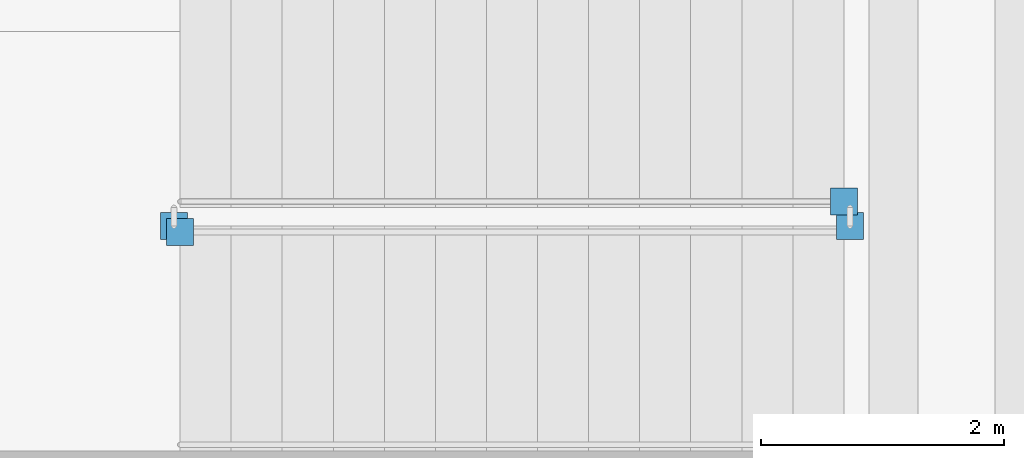
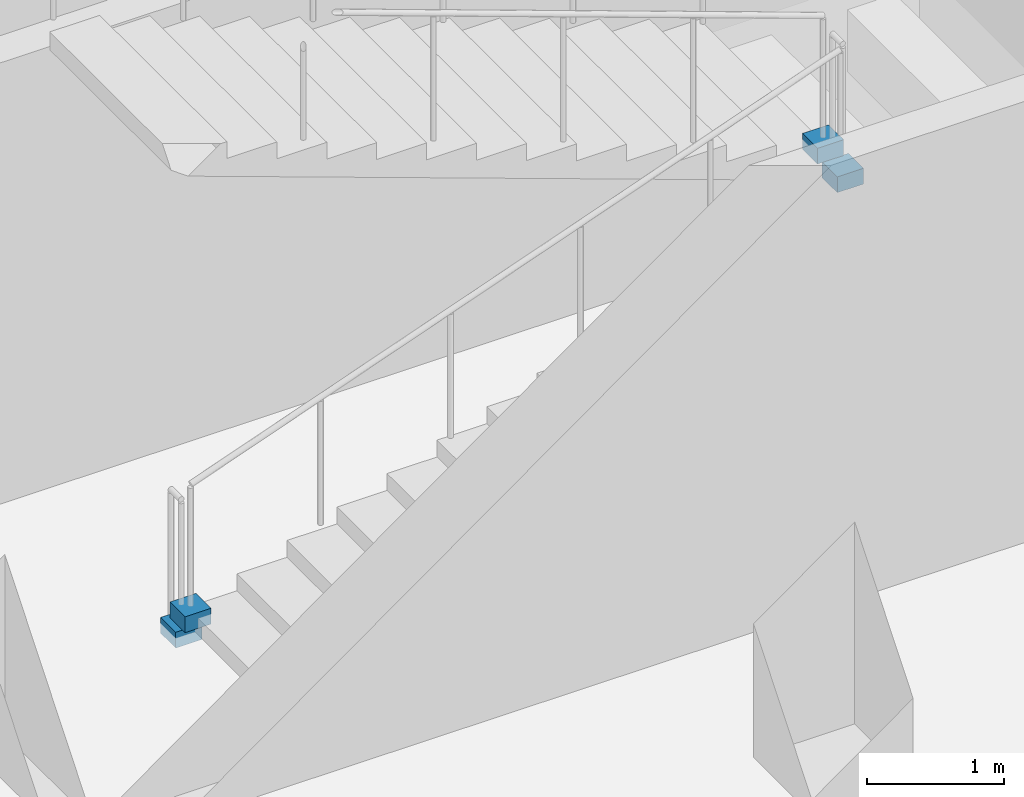
# One storey, part 21 of 28: 4 discrete accessories.
"""IFC4 building model written with IfcOpenShell, lengths in metres."""

from ifc_helpers import new_model, si_unit, direction, frame, origin, origin_2d, place, context, subcontext, project, spatial, rectangle, extrude, material, type_object, element, save


model = new_model("IFC4")

# Units and contexts
model_context = context("Model", 3, precision=1e-05, world=origin(), true_north=direction((0.0, 1.0)))
body_context = subcontext(model_context, "Body", "Model", "MODEL_VIEW")
ifc_project = project(units=[si_unit("LENGTHUNIT", "METRE"), si_unit("AREAUNIT", "SQUARE_METRE"), si_unit("VOLUMEUNIT", "CUBIC_METRE"), si_unit("PLANEANGLEUNIT", "RADIAN"), si_unit("MASSUNIT", "GRAM", prefix="KILO")], contexts=[model_context])

# Site, building, storey
site_placement = place(None, origin())
site = spatial("IfcSite", under=ifc_project, at=site_placement, CompositionType="ELEMENT")
building_placement = place(site_placement, origin())
building = spatial("IfcBuilding", under=site, at=building_placement, Name="Varnakota Cinema and Media Centre", CompositionType="ELEMENT")
storey_placement = place(building_placement, frame((0.0, 0.0, -4.199951171875)))
storey = spatial("IfcBuildingStorey", under=building, at=storey_placement, Name="B1", CompositionType="ELEMENT", Elevation=-4.199951171875)

# Discrete accessories
ifc_material = material(Name="Structural steel Grade 350 (E350)", Category="steel")
discrete_accessory_type = type_object("IfcDiscreteAccessoryType", Name="ACC-BRACKET-SG", PredefinedType="BRACKET", material=ifc_material)
for number, where, z_axis, x_axis, name in (
    (1, (89.85009765625, 39.10009765625, 0.06005859375), (0.0, 0.0, 1.0), (1.0, 0.0, 0.0), "B1 stair guard base bracket ST-B2-B1-G1"),
    (2, (95.360107421875, 39.14990234375, 2.009765625), (0.0, 0.0, 1.0), (1.0, 0.0, 0.0), "B1 stair guard base bracket ST-B2-B1-G2"),
    (3, (95.31005859375, 39.35009765625, 2.16015625), (0.0, 0.0, 1.0), (1.0, 0.0, 0.0), "B1 stair guard base bracket ST-B2-B1-G3"),
    (4, (89.800048828125, 39.14990234375, -0.08984375), (0.0, 0.0, 1.0), (1.0, 0.0, 0.0), "B1 stair guard base bracket ST-B2-B1-G4"),
):
    element("IfcDiscreteAccessory", number, at=place(storey_placement, frame(where, z_axis=z_axis, x_axis=x_axis)), inside=storey, type_object=discrete_accessory_type, Name=name, PredefinedType="BRACKET", context=body_context, shape_type="SweptSolid", body=[
        extrude(rectangle(XDim=0.219970703125, YDim=0.219970703125, at=origin_2d()), origin(), (0.0, 0.0, 1.0), 0.139892578125),
    ])

save(model, "model.ifc")
